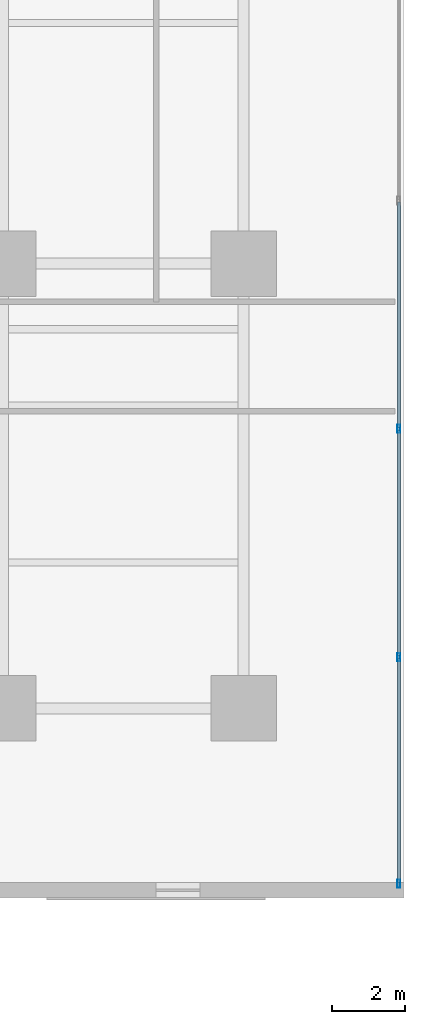
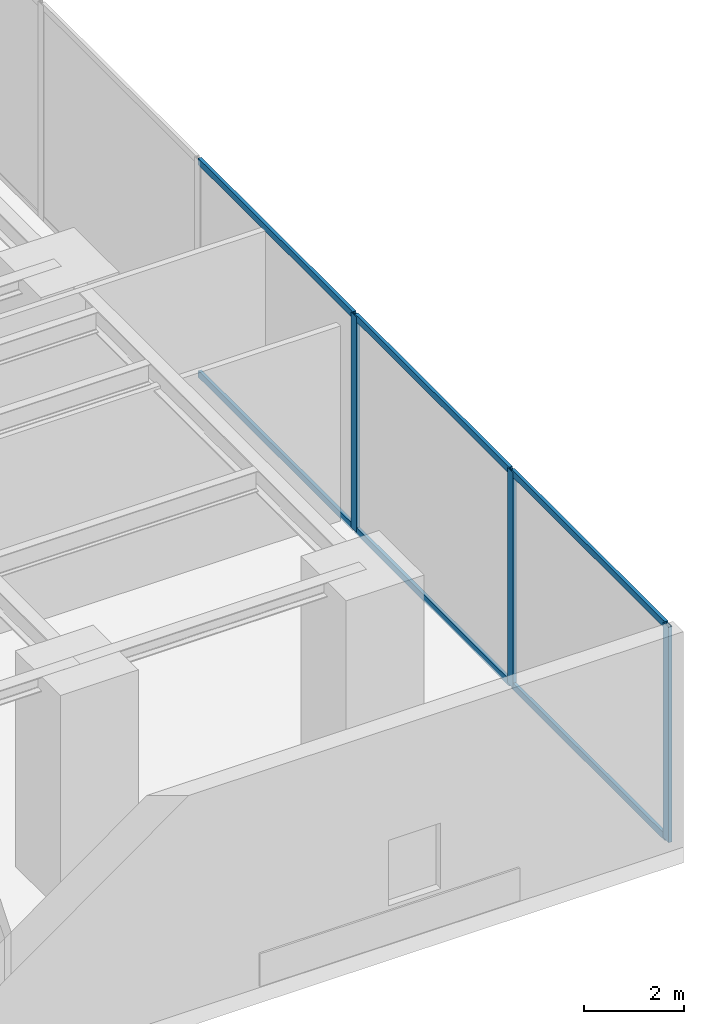
# One storey, part 7 of 17: 9 members, 1 element without a shape of its own.
"""IFC4 building model written with IfcOpenShell, lengths in metres."""

from ifc_helpers import new_model, si_unit, direction, frame, origin, origin_with_axes, origin_2d, place, context, subcontext, project, spatial, hollow_rectangle, extrude, source, transform, mapped, material, layer, layer_set, material_profile, profile_set, type_object, element, aggregate, save


model = new_model("IFC4")

# Units and contexts
model_context = context("Model", 3, precision=1e-05, world=origin(), true_north=direction((0.0, 1.0)))
body_context = subcontext(model_context, "Body", "Model", "MODEL_VIEW")
ifc_project = project(units=[si_unit("LENGTHUNIT", "METRE"), si_unit("AREAUNIT", "SQUARE_METRE"), si_unit("VOLUMEUNIT", "CUBIC_METRE"), si_unit("PLANEANGLEUNIT", "RADIAN"), si_unit("MASSUNIT", "GRAM", prefix="KILO")], contexts=[model_context])

# Site, building, storey
site_placement = place(None, origin())
site = spatial("IfcSite", under=ifc_project, at=site_placement, CompositionType="ELEMENT")
building_placement = place(site_placement, origin())
building = spatial("IfcBuilding", under=site, at=building_placement, Name="Kolvaren Waterfront Exchange", CompositionType="ELEMENT")
storey_placement = place(building_placement, origin())
storey = spatial("IfcBuildingStorey", under=building, at=storey_placement, Name="L01", CompositionType="ELEMENT", Elevation=0.0)

# Curtain wall, members
ifc_material_1 = material(Name="Anodised bronze aluminium 6063-T6", Category="aluminium")
ifc_layer = layer(ifc_material_1, 0.219970703125, Name="Anodised bronze aluminium 6063-T6")
ifc_layer_set = layer_set([ifc_layer], Name="Anodised bronze aluminium 6063-T6")
curtain_wall_type = type_object("IfcCurtainWallType", Name="ARC-CW-SYS4", PredefinedType="USERDEFINED", material=ifc_layer_set)
curtain_wall_placement = place(storey_placement, origin())
curtain_wall = element("IfcCurtainWall", 1, at=curtain_wall_placement, inside=storey, type_object=curtain_wall_type, Name="L01 stick curtain wall CW4 (CW-L01-E1)", ObjectType="STICK CURTAIN WALL", PredefinedType="USERDEFINED")
ifc_material_2 = material(Name="Anodised aluminium 6063-T6", Category="aluminium")
ifc_material_profile_1 = material_profile(ifc_material_2, hollow_rectangle(XDim=0.080078125, YDim=0.219970703125, WallThickness=0.0048828125, at=origin_2d()), Name="ALU-MUL-220x80x5")
ifc_profile_set_1 = profile_set([ifc_material_profile_1], Name="Anodised aluminium 6063-T6")
member_type_1 = type_object("IfcMemberType", Name="ARC-CWM-220", PredefinedType="MULLION", material=ifc_profile_set_1)
shared_shape_1 = source(origin_with_axes(), body_context, "Body", "SweptSolid", [
    extrude(hollow_rectangle(XDim=0.080078125, YDim=0.219970703125, WallThickness=0.0048828125, at=origin_2d()), origin(), (0.0, 0.0, 1.0), 5.260009765625),
])
member_1_placement = place(storey_placement, frame((64.659912109375, 0.389892578125, 0.0), z_axis=(0.0, 0.0, 1.0), x_axis=(-1.0, 0.0, 0.0)))
member_1 = element("IfcMember", 2, at=member_1_placement, type_object=member_type_1, Name="CW4 mullion 1", PredefinedType="MULLION", context=body_context, shape_type="MappedRepresentation", body=[
    mapped(shared_shape_1, transform((0.0, 0.0, 0.0), x_axis=(1.0, 0.0, 0.0), y_axis=(0.0, 1.0, 0.0), z_axis=(0.0, 0.0, 1.0), scale=1.0)),
])
member_2_placement = place(storey_placement, frame((64.659912109375, 6.610107421875, 0.0), z_axis=(0.0, 0.0, 1.0), x_axis=(-1.0, 0.0, 0.0)))
member_2 = element("IfcMember", 3, at=member_2_placement, type_object=member_type_1, Name="CW4 mullion 2", PredefinedType="MULLION", context=body_context, shape_type="MappedRepresentation", body=[
    mapped(shared_shape_1, transform((0.0, 0.0, 0.0), x_axis=(1.0, 0.0, 0.0), y_axis=(0.0, 1.0, 0.0), z_axis=(0.0, 0.0, 1.0), scale=1.0)),
])
member_3_placement = place(storey_placement, frame((64.659912109375, 12.8701171875, 0.0), z_axis=(0.0, 0.0, 1.0), x_axis=(-1.0, 0.0, 0.0)))
member_3 = element("IfcMember", 4, at=member_3_placement, type_object=member_type_1, Name="CW4 mullion 3", PredefinedType="MULLION", context=body_context, shape_type="MappedRepresentation", body=[
    mapped(shared_shape_1, transform((0.0, 0.0, 0.0), x_axis=(1.0, 0.0, 0.0), y_axis=(0.0, 1.0, 0.0), z_axis=(0.0, 0.0, 1.0), scale=1.0)),
])
ifc_material_profile_2 = material_profile(ifc_material_2, hollow_rectangle(XDim=0.074951171875, YDim=0.159912109375, WallThickness=0.00439453125, at=origin_2d()), Name="ALU-TRN-160x75x4.5")
ifc_profile_set_2 = profile_set([ifc_material_profile_2], Name="Anodised aluminium 6063-T6")
member_type_2 = type_object("IfcMemberType", Name="ARC-CWT-160", PredefinedType="USERDEFINED", material=ifc_profile_set_2)
shared_shape_2 = source(origin_with_axes(), body_context, "Body", "SweptSolid", [
    extrude(hollow_rectangle(XDim=0.074951171875, YDim=0.159912109375, WallThickness=0.00439453125, at=origin_2d()), origin(), (0.0, 0.0, 1.0), 6.14013671875),
])
member_4_placement = place(storey_placement, frame((64.659912109375, 0.429931640625, 0.03759765625), z_axis=(0.0, 1.0, 0.0), x_axis=(-1.0, 0.0, 0.0)))
member_4 = element("IfcMember", 5, at=member_4_placement, type_object=member_type_2, Name="CW4 transom 1.1", ObjectType="TRANSOM", PredefinedType="USERDEFINED", context=body_context, shape_type="MappedRepresentation", body=[
    mapped(shared_shape_2, transform((0.0, 0.0, 0.0), x_axis=(1.0, 0.0, 0.0), y_axis=(0.0, 1.0, 0.0), z_axis=(0.0, 0.0, 1.0), scale=1.0)),
])
member_5_placement = place(storey_placement, frame((64.659912109375, 0.429931640625, 5.222412109375), z_axis=(0.0, 1.0, 0.0), x_axis=(-1.0, 0.0, 0.0)))
member_5 = element("IfcMember", 6, at=member_5_placement, type_object=member_type_2, Name="CW4 transom 1.2", ObjectType="TRANSOM", PredefinedType="USERDEFINED", context=body_context, shape_type="MappedRepresentation", body=[
    mapped(shared_shape_2, transform((0.0, 0.0, 0.0), x_axis=(1.0, 0.0, 0.0), y_axis=(0.0, 1.0, 0.0), z_axis=(0.0, 0.0, 1.0), scale=1.0)),
])
shared_shape_3 = source(origin_with_axes(), body_context, "Body", "SweptSolid", [
    extrude(hollow_rectangle(XDim=0.074951171875, YDim=0.159912109375, WallThickness=0.00439453125, at=origin_2d()), origin(), (0.0, 0.0, 1.0), 6.18017578125),
])
member_6_placement = place(storey_placement, frame((64.659912109375, 6.64990234375, 0.03759765625), z_axis=(0.0, 1.0, 0.0), x_axis=(-1.0, 0.0, 0.0)))
member_6 = element("IfcMember", 7, at=member_6_placement, type_object=member_type_2, Name="CW4 transom 2.1", ObjectType="TRANSOM", PredefinedType="USERDEFINED", context=body_context, shape_type="MappedRepresentation", body=[
    mapped(shared_shape_3, transform((0.0, 0.0, 0.0), x_axis=(1.0, 0.0, 0.0), y_axis=(0.0, 1.0, 0.0), z_axis=(0.0, 0.0, 1.0), scale=1.0)),
])
member_7_placement = place(storey_placement, frame((64.659912109375, 6.64990234375, 5.222412109375), z_axis=(0.0, 1.0, 0.0), x_axis=(-1.0, 0.0, 0.0)))
member_7 = element("IfcMember", 8, at=member_7_placement, type_object=member_type_2, Name="CW4 transom 2.2", ObjectType="TRANSOM", PredefinedType="USERDEFINED", context=body_context, shape_type="MappedRepresentation", body=[
    mapped(shared_shape_3, transform((0.0, 0.0, 0.0), x_axis=(1.0, 0.0, 0.0), y_axis=(0.0, 1.0, 0.0), z_axis=(0.0, 0.0, 1.0), scale=1.0)),
])
member_8_placement = place(storey_placement, frame((64.659912109375, 12.909912109375, 0.03759765625), z_axis=(0.0, 1.0, 0.0), x_axis=(-1.0, 0.0, 0.0)))
member_8 = element("IfcMember", 9, at=member_8_placement, type_object=member_type_2, Name="CW4 transom 3.1", ObjectType="TRANSOM", PredefinedType="USERDEFINED", context=body_context, shape_type="MappedRepresentation", body=[
    mapped(shared_shape_3, transform((0.0, 0.0, 0.0), x_axis=(1.0, 0.0, 0.0), y_axis=(0.0, 1.0, 0.0), z_axis=(0.0, 0.0, 1.0), scale=1.0)),
])
member_9_placement = place(storey_placement, frame((64.659912109375, 12.909912109375, 5.222412109375), z_axis=(0.0, 1.0, 0.0), x_axis=(-1.0, 0.0, 0.0)))
member_9 = element("IfcMember", 10, at=member_9_placement, type_object=member_type_2, Name="CW4 transom 3.2", ObjectType="TRANSOM", PredefinedType="USERDEFINED", context=body_context, shape_type="MappedRepresentation", body=[
    mapped(shared_shape_3, transform((0.0, 0.0, 0.0), x_axis=(1.0, 0.0, 0.0), y_axis=(0.0, 1.0, 0.0), z_axis=(0.0, 0.0, 1.0), scale=1.0)),
])
aggregate(curtain_wall, [member_1, member_2, member_3, member_4, member_5, member_6, member_7, member_8, member_9])

save(model, "model.ifc")
